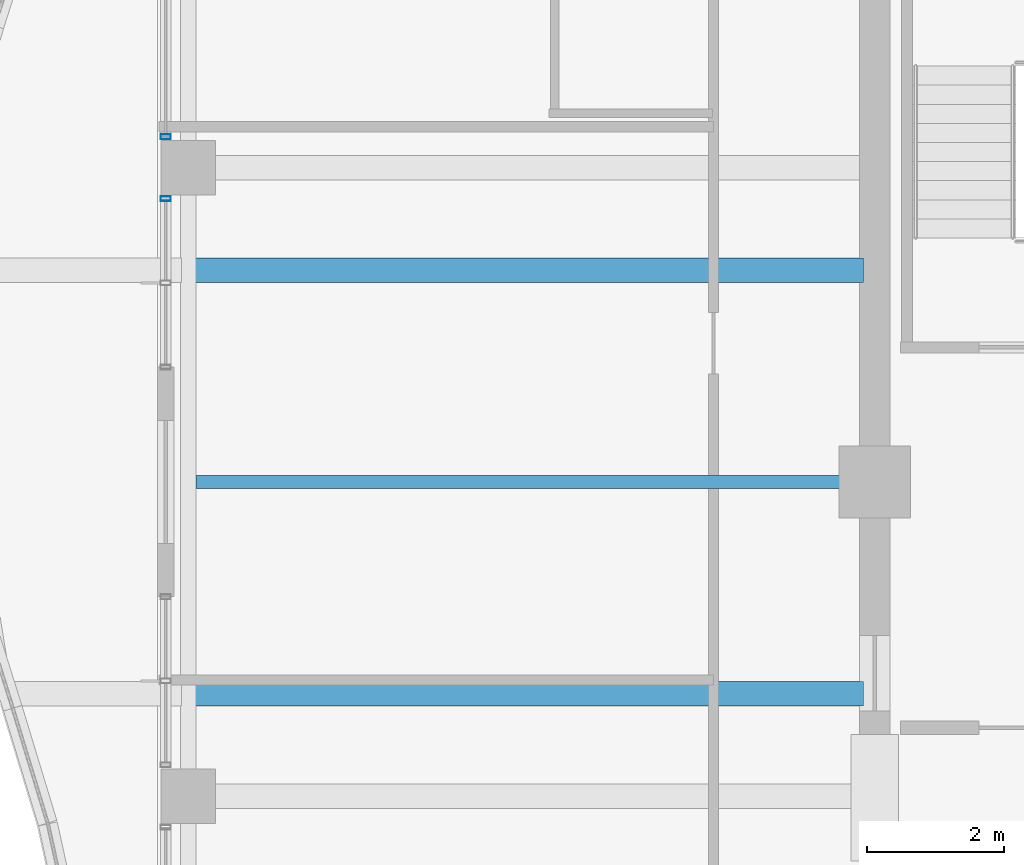
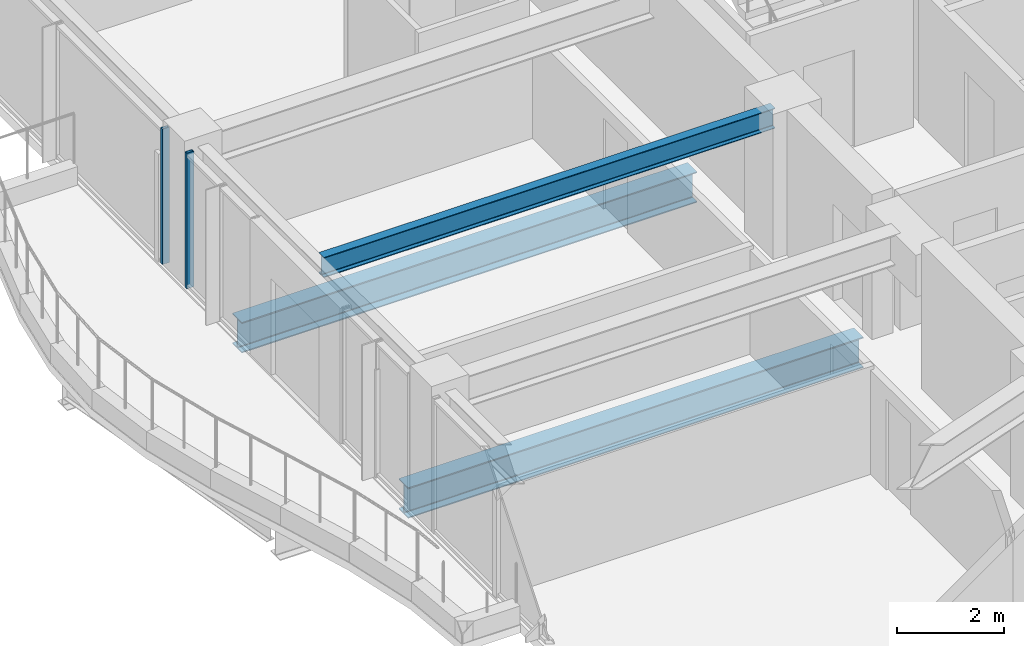
# One storey, part 7 of 34: 3 beams, 2 members, 2 elements without a shape of their own.
"""IFC4 building model written with IfcOpenShell, lengths in metres."""

from ifc_helpers import new_model, si_unit, direction, frame, origin, origin_2d, place, context, subcontext, project, spatial, hollow_rectangle, i_section, extrude, material, material_profile, profile_set, type_object, element, aggregate, save


model = new_model("IFC4")

# Units and contexts
model_context = context("Model", 3, precision=1e-05, world=origin(), true_north=direction((0.0, 1.0)))
body_context = subcontext(model_context, "Body", "Model", "MODEL_VIEW")
ifc_project = project(units=[si_unit("LENGTHUNIT", "METRE"), si_unit("AREAUNIT", "SQUARE_METRE"), si_unit("VOLUMEUNIT", "CUBIC_METRE"), si_unit("PLANEANGLEUNIT", "RADIAN"), si_unit("MASSUNIT", "GRAM", prefix="KILO")], contexts=[model_context])

# Site, building, storey
site_placement = place(None, origin())
site = spatial("IfcSite", under=ifc_project, at=site_placement, CompositionType="ELEMENT")
building_placement = place(site_placement, origin())
building = spatial("IfcBuilding", under=site, at=building_placement, Name="Kolvaren Belvedere", CompositionType="ELEMENT")
storey_placement = place(building_placement, frame((0.0, 0.0, 222.89990234375)))
storey = spatial("IfcBuildingStorey", under=building, at=storey_placement, Name="L65", CompositionType="ELEMENT", Elevation=222.89990234375)

# Beams
ifc_material_1 = material(Name="Structural steel ASTM A992 Grade 50", Category="steel")
ifc_material_profile_1 = material_profile(ifc_material_1, i_section(OverallWidth=0.35498046875, OverallDepth=0.696044921875, WebThickness=0.015380859375, FlangeThickness=0.02490234375, FilletRadius=0.02197265625, at=origin_2d()), Name="W27X146")
ifc_profile_set_1 = profile_set([ifc_material_profile_1], Name="Structural steel ASTM A992 Grade 50")
beam_type_1 = type_object("IfcBeamType", Name="BM-GIRD-W27X146", PredefinedType="BEAM", material=ifc_profile_set_1)
for number, where, z_axis, x_axis, name in (
    (1, (-10.06494140625, -3.10009765625, -0.56787109375), (-1.0, 0.0, 0.0), (0.0, -1.0, 0.0), "L65 Balcony Interior Back-Span Girder BAL-W-1"),
    (2, (-10.06494140625, 3.10009765625, -0.56787109375), (-1.0, 0.0, 0.0), (0.0, -1.0, 0.0), "L65 Balcony Interior Back-Span Girder BAL-W-2"),
):
    element("IfcBeam", number, at=place(storey_placement, frame(where, z_axis=z_axis, x_axis=x_axis)), inside=storey, type_object=beam_type_1, Name=name, PredefinedType="BEAM", context=body_context, shape_type="SweptSolid", body=[
        extrude(i_section(OverallWidth=0.35498046875, OverallDepth=0.696044921875, WebThickness=0.015380859375, FlangeThickness=0.02490234375, FilletRadius=0.02197265625, at=origin_2d()), origin(), (0.0, 0.0, 1.0), 9.7900390625),
    ])
ifc_material_2 = material(Name="Structural steel ASTM A992 Grade 50", Category="steel")
ifc_material_profile_2 = material_profile(ifc_material_2, i_section(OverallWidth=0.19091796875, OverallDepth=0.4599609375, WebThickness=0.010009765625, FlangeThickness=0.01611328125, FilletRadius=0.014892578125, at=origin_2d()), Name="W18X55")
ifc_profile_set_2 = profile_set([ifc_material_profile_2], Name="Structural steel ASTM A992 Grade 50")
beam_type_2 = type_object("IfcBeamType", Name="BM-JOIST-W18X55", PredefinedType="BEAM", material=ifc_profile_set_2)
beam_placement = place(storey_placement, frame((-10.125, 0.0, 2.85009765625), z_axis=(-1.0, 0.0, 0.0), x_axis=(0.0, -1.0, 0.0)))
element("IfcBeam", 3, at=beam_placement, inside=storey, type_object=beam_type_2, Name="L65 West Centre Floor Beam", PredefinedType="BEAM", context=body_context, shape_type="SweptSolid", body=[
    extrude(i_section(OverallWidth=0.19091796875, OverallDepth=0.4599609375, WebThickness=0.010009765625, FlangeThickness=0.01611328125, FilletRadius=0.014892578125, at=origin_2d()), origin(), (0.0, 0.0, 1.0), 9.71044921875),
])

# Curtain wall, member
ifc_material_3 = material(Name="Anodised pale-metal aluminium AA 6063-T6", Category="aluminium")
curtain_wall_type = type_object("IfcCurtainWallType", Name="CW-Z5-HIGH", PredefinedType="NOTDEFINED", material=ifc_material_3)
curtain_wall_1_placement = place(storey_placement, origin())
curtain_wall_1 = element("IfcCurtainWall", 4, at=curtain_wall_1_placement, inside=storey, type_object=curtain_wall_type, Name="L65 Unitised Curtain Wall FCW-L65-W2-B1", PredefinedType="NOTDEFINED")
ifc_material_4 = material(Name="Anodised pale-metal aluminium AA 6063-T6", Category="aluminium")
ifc_material_profile_3 = material_profile(ifc_material_4, hollow_rectangle(XDim=0.070068359375, YDim=0.14990234375, WallThickness=0.004150390625, at=origin_2d()), Name="ALU-MUL-150X70")
ifc_profile_set_3 = profile_set([ifc_material_profile_3], Name="Anodised pale-metal aluminium AA 6063-T6")
member_type = type_object("IfcMemberType", Name="CW-MUL-150", PredefinedType="MULLION", material=ifc_profile_set_3)
member_1_placement = place(storey_placement, frame((-20.280029296875, 4.14501953125, 0.0), z_axis=(0.0, 0.0, 1.0), x_axis=(0.0, 1.0, 0.0)))
member_1 = element("IfcMember", 5, at=member_1_placement, type_object=member_type, Name="FCW-L65-W2-B1 Unitised Mullion 3", PredefinedType="MULLION", context=body_context, shape_type="SweptSolid", body=[
    extrude(hollow_rectangle(XDim=0.070068359375, YDim=0.14990234375, WallThickness=0.004150390625, at=origin_2d()), origin(), (0.0, 0.0, 1.0), 3.080078125),
])
aggregate(curtain_wall_1, [member_1])

curtain_wall_2_placement = place(storey_placement, origin())
curtain_wall_2 = element("IfcCurtainWall", 6, at=curtain_wall_2_placement, inside=storey, type_object=curtain_wall_type, Name="L65 Unitised Curtain Wall FCW-L65-W2-B2", PredefinedType="NOTDEFINED")
member_2_placement = place(storey_placement, frame((-20.280029296875, 5.054931640625, 0.0), z_axis=(0.0, 0.0, 1.0), x_axis=(0.0, 1.0, 0.0)))
member_2 = element("IfcMember", 7, at=member_2_placement, type_object=member_type, Name="FCW-L65-W2-B2 Unitised Mullion 1", PredefinedType="MULLION", context=body_context, shape_type="SweptSolid", body=[
    extrude(hollow_rectangle(XDim=0.070068359375, YDim=0.14990234375, WallThickness=0.004150390625, at=origin_2d()), origin(), (0.0, 0.0, 1.0), 3.080078125),
])
aggregate(curtain_wall_2, [member_2])

save(model, "model.ifc")
